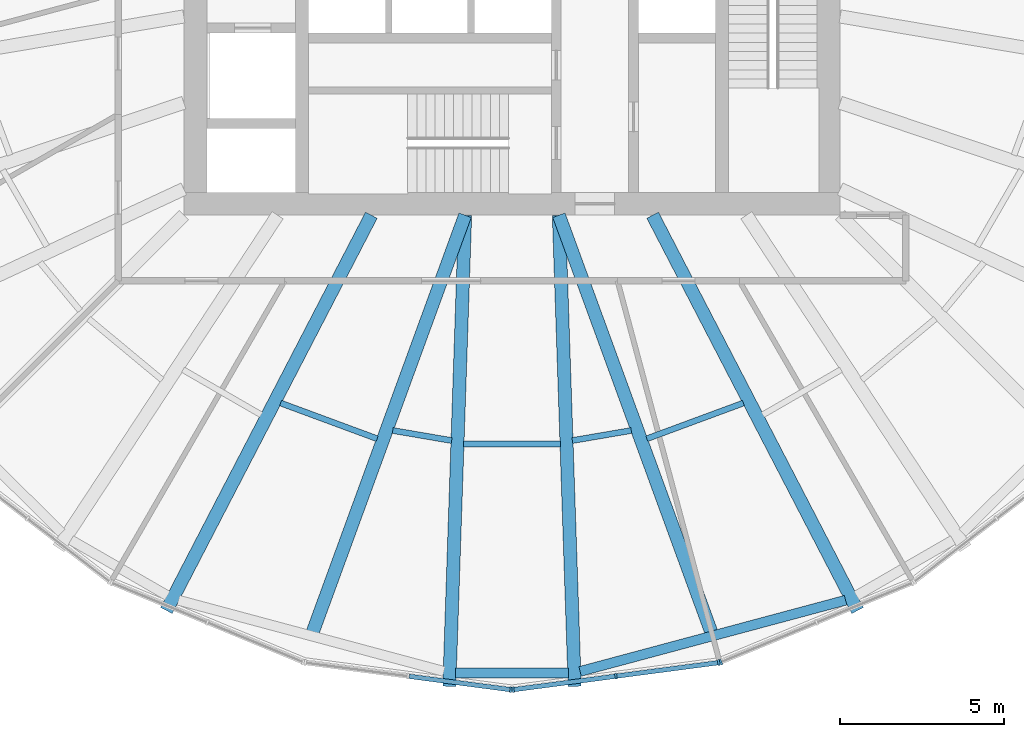
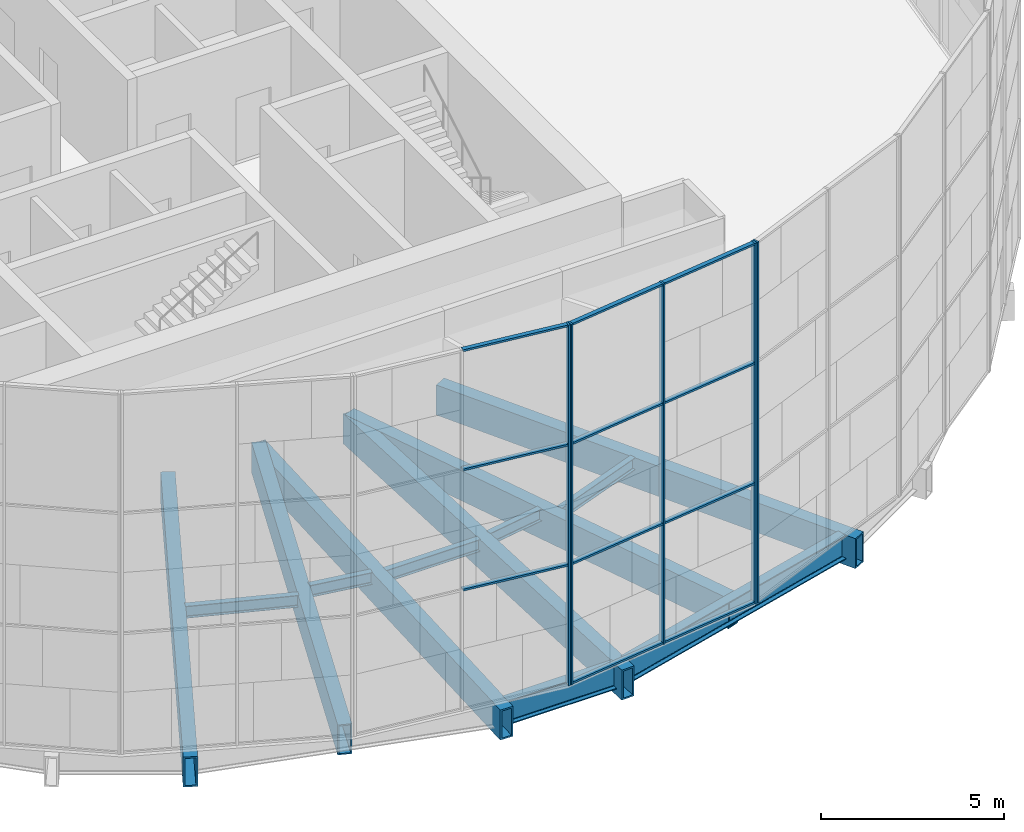
# One storey, part 2 of 22: 16 members, 13 beams, 3 elements without a shape of their own.
"""IFC4 building model written with IfcOpenShell, lengths in metres."""

from ifc_helpers import new_model, si_unit, direction, frame, origin, origin_2d, place, context, subcontext, project, spatial, rectangle, hollow_rectangle, i_section, extrude, material, material_profile, profile_set, type_object, element, aggregate, save


model = new_model("IFC4")

# Units and contexts
model_context = context("Model", 3, precision=1e-05, world=origin(), true_north=direction((0.0, 1.0)))
body_context = subcontext(model_context, "Body", "Model", "MODEL_VIEW")
ifc_project = project(units=[si_unit("LENGTHUNIT", "METRE"), si_unit("AREAUNIT", "SQUARE_METRE"), si_unit("VOLUMEUNIT", "CUBIC_METRE"), si_unit("PLANEANGLEUNIT", "RADIAN"), si_unit("MASSUNIT", "GRAM", prefix="KILO")], contexts=[model_context])

# Site, building, storey
site_placement = place(None, origin())
site = spatial("IfcSite", under=ifc_project, at=site_placement, CompositionType="ELEMENT")
building_placement = place(site_placement, origin())
building = spatial("IfcBuilding", under=site, at=building_placement, Name="Golbaran Civic Tower", CompositionType="ELEMENT")
storey_placement = place(building_placement, frame((0.0, 0.0, 90.0)))
storey = spatial("IfcBuildingStorey", under=building, at=storey_placement, Name="L21", CompositionType="ELEMENT", Elevation=90.0)

# Beams
ifc_material_1 = material(Name="Steel S355", Category="steel")
ifc_material_profile_1 = material_profile(ifc_material_1, i_section(OverallWidth=0.300048828125, OverallDepth=0.800048828125, WebThickness=0.017578125, FlangeThickness=0.032958984375, FilletRadius=0.030029296875, at=origin_2d()), Name="HEB 800")
ifc_profile_set_1 = profile_set([ifc_material_profile_1], Name="Steel S355")
beam_type_1 = type_object("IfcBeamType", Name="EDGE BEAM HEB 800", PredefinedType="BEAM", material=ifc_profile_set_1)
beam_1_placement = place(storey_placement, frame((-1.71630859375, -23.94677734375, -0.60009765625), z_axis=(1.0, 0.0, 0.0), x_axis=(0.0, 1.0, 0.0)))
element("IfcBeam", 1, at=beam_1_placement, inside=storey, type_object=beam_type_1, Name="Edge beam 265.58 L21", PredefinedType="BEAM", context=body_context, shape_type="SweptSolid", body=[
    extrude(i_section(OverallWidth=0.300048828125, OverallDepth=0.800048828125, WebThickness=0.017578125, FlangeThickness=0.032958984375, FilletRadius=0.030029296875, at=origin_2d()), origin(), (0.0, 0.0, 1.0), 3.4326171875),
])
beam_2_placement = place(storey_placement, frame((2.074951171875, -23.89892578125, -0.60009765625), z_axis=(0.965861874447, 0.259057598787, 0.0), x_axis=(-0.259057598787, 0.965861874447, 0.0)))
element("IfcBeam", 2, at=beam_2_placement, inside=storey, type_object=beam_type_1, Name="Edge beam 274.42 L21", PredefinedType="BEAM", context=body_context, shape_type="SweptSolid", body=[
    extrude(i_section(OverallWidth=0.300048828125, OverallDepth=0.800048828125, WebThickness=0.017578125, FlangeThickness=0.032958984375, FilletRadius=0.030029296875, at=origin_2d()), origin(), (0.0, 0.0, 1.0), 8.375244140625),
])
ifc_material_profile_2 = material_profile(ifc_material_1, i_section(OverallWidth=0.179931640625, OverallDepth=0.39990234375, WebThickness=0.008544921875, FlangeThickness=0.013427734375, FilletRadius=0.02099609375, at=origin_2d()), Name="IPE 400")
ifc_profile_set_2 = profile_set([ifc_material_profile_2], Name="Steel S355")
beam_type_2 = type_object("IfcBeamType", Name="FLOOR INFILL BEAM IPE 400", PredefinedType="BEAM", material=ifc_profile_set_2)
beam_3_placement = place(storey_placement, frame((-7.0498046875, -15.72216796875, -0.39990234375), z_axis=(0.937944946175, -0.346784195061, 0.0), x_axis=(0.346784195061, 0.937944946175, 0.0)))
element("IfcBeam", 3, at=beam_3_placement, inside=storey, type_object=beam_type_2, Name="Infill beam 249.71 L21", PredefinedType="BEAM", context=body_context, shape_type="SweptSolid", body=[
    extrude(i_section(OverallWidth=0.179931640625, OverallDepth=0.39990234375, WebThickness=0.008544921875, FlangeThickness=0.013427734375, FilletRadius=0.02099609375, at=origin_2d()), origin(), (0.0, 0.0, 1.0), 3.135009765625),
])
beam_4_placement = place(storey_placement, frame((-3.63427734375, -16.55810546875, -0.39990234375), z_axis=(0.98567832971, -0.168636384982, 0.0), x_axis=(0.168636384982, 0.98567832971, 0.0)))
element("IfcBeam", 4, at=beam_4_placement, inside=storey, type_object=beam_type_2, Name="Infill beam 260.29 L21", PredefinedType="BEAM", context=body_context, shape_type="SweptSolid", body=[
    extrude(i_section(OverallWidth=0.179931640625, OverallDepth=0.39990234375, WebThickness=0.008544921875, FlangeThickness=0.013427734375, FilletRadius=0.02099609375, at=origin_2d()), origin(), (0.0, 0.0, 1.0), 1.8212890625),
])
beam_5_placement = place(storey_placement, frame((-1.482421875, -16.973388671875, -0.39990234375), z_axis=(1.0, 0.0, 0.0), x_axis=(0.0, 1.0, 0.0)))
element("IfcBeam", 5, at=beam_5_placement, inside=storey, type_object=beam_type_2, Name="Infill beam 270.00 L21", PredefinedType="BEAM", context=body_context, shape_type="SweptSolid", body=[
    extrude(i_section(OverallWidth=0.179931640625, OverallDepth=0.39990234375, WebThickness=0.008544921875, FlangeThickness=0.013427734375, FilletRadius=0.02099609375, at=origin_2d()), origin(), (0.0, 0.0, 1.0), 2.96484375),
])
beam_6_placement = place(storey_placement, frame((1.839111328125, -16.865234375, -0.39990234375), z_axis=(0.98567832971, 0.168636384982, 0.0), x_axis=(-0.168636384982, 0.98567832971, 0.0)))
element("IfcBeam", 6, at=beam_6_placement, inside=storey, type_object=beam_type_2, Name="Infill beam 279.71 L21", PredefinedType="BEAM", context=body_context, shape_type="SweptSolid", body=[
    extrude(i_section(OverallWidth=0.179931640625, OverallDepth=0.39990234375, WebThickness=0.008544921875, FlangeThickness=0.013427734375, FilletRadius=0.02099609375, at=origin_2d()), origin(), (0.0, 0.0, 1.0), 1.8212890625),
])
beam_7_placement = place(storey_placement, frame((4.109375, -16.809326171875, -0.39990234375), z_axis=(0.937944946175, 0.346784195061, 0.0), x_axis=(-0.346784195061, 0.937944946175, 0.0)))
element("IfcBeam", 7, at=beam_7_placement, inside=storey, type_object=beam_type_2, Name="Infill beam 290.29 L21", PredefinedType="BEAM", context=body_context, shape_type="SweptSolid", body=[
    extrude(i_section(OverallWidth=0.179931640625, OverallDepth=0.39990234375, WebThickness=0.008544921875, FlangeThickness=0.013427734375, FilletRadius=0.02099609375, at=origin_2d()), origin(), (0.0, 0.0, 1.0), 3.135009765625),
])

# Curtain wall, member
ifc_material_2 = material(Name="Aluminium and glass", Category="aluminium")
curtain_wall_type = type_object("IfcCurtainWallType", Name="INNER SKIN CURTAIN WALL", PredefinedType="NOTDEFINED", material=ifc_material_2)
curtain_wall_1_placement = place(storey_placement, origin())
curtain_wall_1 = element("IfcCurtainWall", 8, at=curtain_wall_1_placement, inside=storey, type_object=curtain_wall_type, Name="Inner skin L21 facet 18 CW1", ObjectType="INNER SKIN", PredefinedType="USERDEFINED")
ifc_material_3 = material(Name="Aluminium", Category="aluminium")
ifc_material_profile_3 = material_profile(ifc_material_3, rectangle(XDim=0.179931640625, YDim=0.06494140625, at=origin_2d()), Name="INNER SKIN CURTAIN WALL MULLION")
ifc_profile_set_3 = profile_set([ifc_material_profile_3], Name="Aluminium")
member_type_1 = type_object("IfcMemberType", Name="INNER SKIN CURTAIN WALL MULLION", PredefinedType="MULLION", material=ifc_profile_set_3)
member_1_placement = place(storey_placement, frame((-0.0322265625, -24.456787109375, 0.0), z_axis=(0.0, 0.0, 1.0), x_axis=(0.130526192203, 0.991444861376, 0.0)))
member_1 = element("IfcMember", 9, at=member_1_placement, type_object=member_type_1, Name="CW1 mullion 3", PredefinedType="MULLION", context=body_context, shape_type="SweptSolid", body=[
    extrude(rectangle(XDim=0.179931640625, YDim=0.06494140625, at=origin_2d()), origin(), (0.0, 0.0, 1.0), 12.0),
])

# Curtain wall, members
curtain_wall_2_placement = place(storey_placement, origin())
curtain_wall_2 = element("IfcCurtainWall", 10, at=curtain_wall_2_placement, inside=storey, type_object=curtain_wall_type, Name="Inner skin L21 facet 19 CW1", ObjectType="INNER SKIN", PredefinedType="USERDEFINED")
member_2_placement = place(storey_placement, frame((0.0322265625, -24.456787109375, 0.0), z_axis=(0.0, 0.0, 1.0), x_axis=(-0.130526192203, 0.991444861376, 0.0)))
member_2 = element("IfcMember", 11, at=member_2_placement, type_object=member_type_1, Name="CW1 mullion 1", PredefinedType="MULLION", context=body_context, shape_type="SweptSolid", body=[
    extrude(rectangle(XDim=0.179931640625, YDim=0.06494140625, at=origin_2d()), origin(), (0.0, 0.0, 1.0), 12.0),
])
member_3_placement = place(storey_placement, frame((3.16552734375, -24.044189453125, 0.0), z_axis=(0.0, 0.0, 1.0), x_axis=(-0.130526192203, 0.991444861376, 0.0)))
member_3 = element("IfcMember", 12, at=member_3_placement, type_object=member_type_1, Name="CW1 mullion 2", PredefinedType="MULLION", context=body_context, shape_type="SweptSolid", body=[
    extrude(rectangle(XDim=0.179931640625, YDim=0.06494140625, at=origin_2d()), origin(), (0.0, 0.0, 1.0), 12.0),
])
member_4_placement = place(storey_placement, frame((6.298828125, -23.6318359375, 0.0), z_axis=(0.0, 0.0, 1.0), x_axis=(-0.130526192203, 0.991444861376, 0.0)))
member_4 = element("IfcMember", 13, at=member_4_placement, type_object=member_type_1, Name="CW1 mullion 3", PredefinedType="MULLION", context=body_context, shape_type="SweptSolid", body=[
    extrude(rectangle(XDim=0.179931640625, YDim=0.06494140625, at=origin_2d()), origin(), (0.0, 0.0, 1.0), 12.0),
])

# Curtain wall, member
curtain_wall_3_placement = place(storey_placement, origin())
curtain_wall_3 = element("IfcCurtainWall", 14, at=curtain_wall_3_placement, inside=storey, type_object=curtain_wall_type, Name="Inner skin L21 facet 20 CW1", ObjectType="INNER SKIN", PredefinedType="USERDEFINED")
member_5_placement = place(storey_placement, frame((6.361083984375, -23.614990234375, 0.0), z_axis=(0.0, 0.0, 1.0), x_axis=(-0.382683432365, 0.923879532511, 0.0)))
member_5 = element("IfcMember", 15, at=member_5_placement, type_object=member_type_1, Name="CW1 mullion 1", PredefinedType="MULLION", context=body_context, shape_type="SweptSolid", body=[
    extrude(rectangle(XDim=0.179931640625, YDim=0.06494140625, at=origin_2d()), origin(), (0.0, 0.0, 1.0), 12.0),
])
aggregate(curtain_wall_3, [member_5])

# Member
ifc_material_profile_4 = material_profile(ifc_material_3, rectangle(XDim=0.139892578125, YDim=0.06494140625, at=origin_2d()), Name="INNER SKIN CURTAIN WALL TRANSOM")
ifc_profile_set_4 = profile_set([ifc_material_profile_4], Name="Aluminium")
member_type_2 = type_object("IfcMemberType", Name="INNER SKIN CURTAIN WALL TRANSOM", PredefinedType="USERDEFINED", material=ifc_profile_set_4)
member_6_placement = place(storey_placement, frame((-3.13330078125, -24.048583984375, 4.0), z_axis=(0.99144355375, -0.130536124221, 0.0), x_axis=(0.130536124221, 0.99144355375, 0.0)))
member_6 = element("IfcMember", 16, at=member_6_placement, type_object=member_type_2, Name="CW1 transom 2.2", ObjectType="TRANSOM", PredefinedType="USERDEFINED", context=body_context, shape_type="SweptSolid", body=[
    extrude(rectangle(XDim=0.139892578125, YDim=0.06494140625, at=origin_2d()), origin(), (0.0, 0.0, 1.0), 3.09521484375),
])

member_7_placement = place(storey_placement, frame((-3.13330078125, -24.048583984375, 8.0), z_axis=(0.99144355375, -0.130536124221, 0.0), x_axis=(0.130536124221, 0.99144355375, 0.0)))
member_7 = element("IfcMember", 17, at=member_7_placement, type_object=member_type_2, Name="CW1 transom 2.3", ObjectType="TRANSOM", PredefinedType="USERDEFINED", context=body_context, shape_type="SweptSolid", body=[
    extrude(rectangle(XDim=0.139892578125, YDim=0.06494140625, at=origin_2d()), origin(), (0.0, 0.0, 1.0), 3.09521484375),
])

member_8_placement = place(storey_placement, frame((-3.13330078125, -24.048583984375, 11.967529296875), z_axis=(0.99144355375, -0.130536124221, 0.0), x_axis=(0.130536124221, 0.99144355375, 0.0)))
member_8 = element("IfcMember", 18, at=member_8_placement, type_object=member_type_2, Name="CW1 transom 2.4", ObjectType="TRANSOM", PredefinedType="USERDEFINED", context=body_context, shape_type="SweptSolid", body=[
    extrude(rectangle(XDim=0.139892578125, YDim=0.06494140625, at=origin_2d()), origin(), (0.0, 0.0, 1.0), 3.09521484375),
])

aggregate(curtain_wall_1, [member_1, member_6, member_7, member_8])

member_9_placement = place(storey_placement, frame((0.064453125, -24.45263671875, 0.032470703125), z_axis=(0.99144355375, 0.130536124221, 0.0), x_axis=(-0.130536124221, 0.99144355375, 0.0)))
member_9 = element("IfcMember", 19, at=member_9_placement, type_object=member_type_2, Name="CW1 transom 1.1", ObjectType="TRANSOM", PredefinedType="USERDEFINED", context=body_context, shape_type="SweptSolid", body=[
    extrude(rectangle(XDim=0.139892578125, YDim=0.06494140625, at=origin_2d()), origin(), (0.0, 0.0, 1.0), 3.09521484375),
])

member_10_placement = place(storey_placement, frame((0.064453125, -24.45263671875, 4.0), z_axis=(0.99144355375, 0.130536124221, 0.0), x_axis=(-0.130536124221, 0.99144355375, 0.0)))
member_10 = element("IfcMember", 20, at=member_10_placement, type_object=member_type_2, Name="CW1 transom 1.2", ObjectType="TRANSOM", PredefinedType="USERDEFINED", context=body_context, shape_type="SweptSolid", body=[
    extrude(rectangle(XDim=0.139892578125, YDim=0.06494140625, at=origin_2d()), origin(), (0.0, 0.0, 1.0), 3.09521484375),
])

member_11_placement = place(storey_placement, frame((0.064453125, -24.45263671875, 8.0), z_axis=(0.99144355375, 0.130536124221, 0.0), x_axis=(-0.130536124221, 0.99144355375, 0.0)))
member_11 = element("IfcMember", 21, at=member_11_placement, type_object=member_type_2, Name="CW1 transom 1.3", ObjectType="TRANSOM", PredefinedType="USERDEFINED", context=body_context, shape_type="SweptSolid", body=[
    extrude(rectangle(XDim=0.139892578125, YDim=0.06494140625, at=origin_2d()), origin(), (0.0, 0.0, 1.0), 3.09521484375),
])

member_12_placement = place(storey_placement, frame((0.064453125, -24.45263671875, 11.967529296875), z_axis=(0.99144355375, 0.130536124221, 0.0), x_axis=(-0.130536124221, 0.99144355375, 0.0)))
member_12 = element("IfcMember", 22, at=member_12_placement, type_object=member_type_2, Name="CW1 transom 1.4", ObjectType="TRANSOM", PredefinedType="USERDEFINED", context=body_context, shape_type="SweptSolid", body=[
    extrude(rectangle(XDim=0.139892578125, YDim=0.06494140625, at=origin_2d()), origin(), (0.0, 0.0, 1.0), 3.09521484375),
])

member_13_placement = place(storey_placement, frame((3.19775390625, -24.0400390625, 0.032470703125), z_axis=(0.99144355375, 0.130536124221, 0.0), x_axis=(-0.130536124221, 0.99144355375, 0.0)))
member_13 = element("IfcMember", 23, at=member_13_placement, type_object=member_type_2, Name="CW1 transom 2.1", ObjectType="TRANSOM", PredefinedType="USERDEFINED", context=body_context, shape_type="SweptSolid", body=[
    extrude(rectangle(XDim=0.139892578125, YDim=0.06494140625, at=origin_2d()), origin(), (0.0, 0.0, 1.0), 3.09521484375),
])

member_14_placement = place(storey_placement, frame((3.19775390625, -24.0400390625, 4.0), z_axis=(0.99144355375, 0.130536124221, 0.0), x_axis=(-0.130536124221, 0.99144355375, 0.0)))
member_14 = element("IfcMember", 24, at=member_14_placement, type_object=member_type_2, Name="CW1 transom 2.2", ObjectType="TRANSOM", PredefinedType="USERDEFINED", context=body_context, shape_type="SweptSolid", body=[
    extrude(rectangle(XDim=0.139892578125, YDim=0.06494140625, at=origin_2d()), origin(), (0.0, 0.0, 1.0), 3.09521484375),
])

member_15_placement = place(storey_placement, frame((3.19775390625, -24.0400390625, 8.0), z_axis=(0.99144355375, 0.130536124221, 0.0), x_axis=(-0.130536124221, 0.99144355375, 0.0)))
member_15 = element("IfcMember", 25, at=member_15_placement, type_object=member_type_2, Name="CW1 transom 2.3", ObjectType="TRANSOM", PredefinedType="USERDEFINED", context=body_context, shape_type="SweptSolid", body=[
    extrude(rectangle(XDim=0.139892578125, YDim=0.06494140625, at=origin_2d()), origin(), (0.0, 0.0, 1.0), 3.09521484375),
])

member_16_placement = place(storey_placement, frame((3.19775390625, -24.0400390625, 11.967529296875), z_axis=(0.99144355375, 0.130536124221, 0.0), x_axis=(-0.130536124221, 0.99144355375, 0.0)))
member_16 = element("IfcMember", 26, at=member_16_placement, type_object=member_type_2, Name="CW1 transom 2.4", ObjectType="TRANSOM", PredefinedType="USERDEFINED", context=body_context, shape_type="SweptSolid", body=[
    extrude(rectangle(XDim=0.139892578125, YDim=0.06494140625, at=origin_2d()), origin(), (0.0, 0.0, 1.0), 3.09521484375),
])

aggregate(curtain_wall_2, [member_2, member_3, member_4, member_9, member_10, member_11, member_12, member_13, member_14, member_15, member_16])

# Beams
ifc_material_profile_5 = material_profile(ifc_material_1, hollow_rectangle(XDim=0.39990234375, YDim=1.0, WallThickness=0.050048828125, at=origin_2d()), Name="BOX 1000x400x50")
ifc_profile_set_5 = profile_set([ifc_material_profile_5], Name="Steel S355")
beam_type_3 = type_object("IfcBeamType", Name="RADIAL FLOOR BEAM BOX 1000x400x50", PredefinedType="BEAM", material=ifc_profile_set_5)
beam_8_placement = place(storey_placement, frame((-4.28564453125, -10.0, -0.7099609375), z_axis=(-0.460280395556, -0.887773595838, 0.0), x_axis=(0.887773595838, -0.460280395556, 0.0)))
element("IfcBeam", 27, at=beam_8_placement, inside=storey, type_object=beam_type_3, Name="Radial beam 244.42 L21", PredefinedType="BEAM", context=body_context, shape_type="SweptSolid", body=[
    extrude(hollow_rectangle(XDim=0.39990234375, YDim=1.0, WallThickness=0.050048828125, at=origin_2d()), origin(), (0.0, 0.0, 1.0), 13.56689453125),
])
for number, where, z_axis, x_axis, name in (
    (28, (-1.428466796875, -10.0, -0.7099609375), (-0.033536117957, -0.999437506197, 0.0), (0.999437506197, -0.033536117957, 0.0), "Radial beam 265.58 L21"),
    (29, (1.428466796875, -10.0, -0.7099609375), (0.033536117957, -0.999437506197, 0.0), (0.999437506197, 0.033536117957, 0.0), "Radial beam 274.42 L21"),
):
    element("IfcBeam", number, at=place(storey_placement, frame(where, z_axis=z_axis, x_axis=x_axis)), inside=storey, type_object=beam_type_3, Name=name, PredefinedType="BEAM", context=body_context, shape_type="SweptSolid", body=[
        extrude(hollow_rectangle(XDim=0.39990234375, YDim=1.0, WallThickness=0.050048828125, at=origin_2d()), origin(), (0.0, 0.0, 1.0), 14.36328125),
    ])
beam_9_placement = place(storey_placement, frame((4.28564453125, -10.0, -0.7099609375), z_axis=(0.460280395556, -0.887773595838, 0.0), x_axis=(0.887773595838, 0.460280395556, 0.0)))
element("IfcBeam", 30, at=beam_9_placement, inside=storey, type_object=beam_type_3, Name="Radial beam 295.58 L21", PredefinedType="BEAM", context=body_context, shape_type="SweptSolid", body=[
    extrude(hollow_rectangle(XDim=0.39990234375, YDim=1.0, WallThickness=0.050048828125, at=origin_2d()), origin(), (0.0, 0.0, 1.0), 13.56689453125),
])
ifc_material_profile_6 = material_profile(ifc_material_1, hollow_rectangle(XDim=0.39990234375, YDim=1.0, WallThickness=0.0400390625, at=origin_2d()), Name="BOX 1000x400x40")
ifc_profile_set_6 = profile_set([ifc_material_profile_6], Name="Steel S355")
beam_type_4 = type_object("IfcBeamType", Name="SECONDARY FLOOR BEAM BOX 1000x400x40", PredefinedType="BEAM", material=ifc_profile_set_6)
for number, where, z_axis, x_axis, name in (
    (31, (-1.428466796875, -10.0, -0.7099609375), (-0.343348670441, -0.939208012373, 0.0), (0.939208012373, -0.343348670441, 0.0), "Secondary beam 255.00 L21"),
    (32, (1.428466796875, -10.0, -0.7099609375), (0.343348670441, -0.939208012373, 0.0), (0.939208012373, 0.343348670441, 0.0), "Secondary beam 285.00 L21"),
):
    element("IfcBeam", number, at=place(storey_placement, frame(where, z_axis=z_axis, x_axis=x_axis)), inside=storey, type_object=beam_type_4, Name=name, PredefinedType="BEAM", context=body_context, shape_type="SweptSolid", body=[
        extrude(hollow_rectangle(XDim=0.39990234375, YDim=1.0, WallThickness=0.0400390625, at=origin_2d()), origin(), (0.0, 0.0, 1.0), 13.645263671875),
    ])

save(model, "model.ifc")
